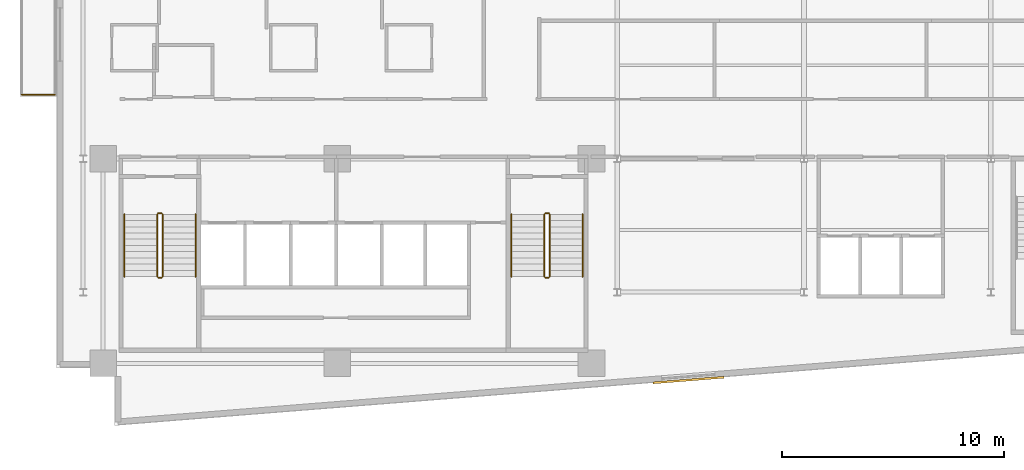
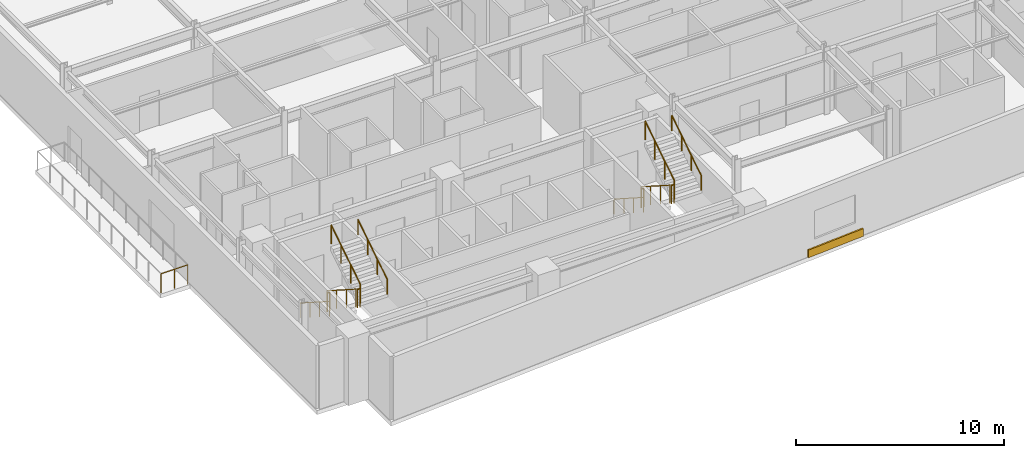
# One storey, part 15 of 19: 13 railings, 1 covering.
"""IFC4 building model written with IfcOpenShell, lengths in metres."""

import ifcopenshell
import ifcopenshell.guid

model = None  # the IFC model being written
_history = None  # IfcOwnerHistory: only IFC2X3 demands one
_inside = {}  # id of a spatial element -> (the spatial element, [elements in it])
_under = {}  # id of a project, library or spatial element -> (it, [spatial elements below it])
_declared = {}  # id of a project -> (the project, [libraries it declares])
_typed = {}  # id of a type object -> (the type object, [elements of that type])
_made_of = {}  # id of a material, layer set ... -> (it, [elements and type objects made of it])


def new_model(schema):
    """Start an empty IFC model of exactly this schema.

    Asked for "IFC4X3", IfcOpenShell would pick the latest addendum, in which some entities
    have other attributes; the version numbers below select the first issue.
    IFC2X3 requires an IfcOwnerHistory on every rooted entity: one is made here for all.
    """
    global model, _history
    if schema == "IFC4X3":
        model = ifcopenshell.file(schema_version=(4, 3, 0, 0))
    else:
        model = ifcopenshell.file(schema=schema)
    _inside.clear()
    _under.clear()
    _declared.clear()
    _typed.clear()
    _made_of.clear()
    _history = None
    if model.schema == "IFC2X3":
        org = make("IfcOrganization", Name="unknown")
        user = make(
            "IfcPersonAndOrganization",
            ThePerson=make("IfcPerson", FamilyName="unknown"),
            TheOrganization=org,
        )
        app = make(
            "IfcApplication",
            ApplicationDeveloper=org,
            Version="unknown",
            ApplicationFullName="unknown",
            ApplicationIdentifier="unknown",
        )
        _history = make(
            "IfcOwnerHistory",
            OwningUser=user,
            OwningApplication=app,
            ChangeAction="ADDED",
            CreationDate=0,
        )
    return model


def make(cls, **values):
    """One entity of the class cls with the attributes given. An attribute that is None is left unset."""
    return model.create_entity(
        cls, **{name: value for name, value in values.items() if value is not None}
    )


def rooted(cls, **values):
    """An entity with a GlobalId (a new one), such as an element, a storey or a relation."""
    return make(cls, GlobalId=ifcopenshell.guid.new(), OwnerHistory=_history, **values)


def si_unit(unit_type, name, prefix=None):
    """IfcSIUnit, for example si_unit("LENGTHUNIT", "METRE", prefix="MILLI")."""
    return make("IfcSIUnit", UnitType=unit_type, Prefix=prefix, Name=name)


def assignment(units):
    """IfcUnitAssignment: the units of a project."""
    return None if units is None else make("IfcUnitAssignment", Units=units)


def point(xyz):
    """IfcCartesianPoint."""
    return None if xyz is None else make("IfcCartesianPoint", Coordinates=xyz)


def direction(xyz):
    """IfcDirection."""
    return None if xyz is None else make("IfcDirection", DirectionRatios=xyz)


def frame(location, z_axis=None, x_axis=None):
    """IfcAxis2Placement3D, a coordinate frame: its origin and axes. An axis left out is left unset."""
    return make(
        "IfcAxis2Placement3D",
        Location=point(location),
        Axis=direction(z_axis),
        RefDirection=direction(x_axis),
    )


def frame_2d(location, x_axis=None):
    """IfcAxis2Placement2D, a coordinate frame in the plane: its origin and x axis."""
    return make(
        "IfcAxis2Placement2D", Location=point(location), RefDirection=direction(x_axis)
    )


def origin():
    """The frame at (0, 0, 0) with its axes left unset."""
    return frame((0.0, 0.0, 0.0))


def origin_2d():
    """The frame at (0, 0) in the plane with its x axis left unset."""
    return frame_2d((0.0, 0.0))


def place(relative_to, where):
    """IfcLocalPlacement: puts the frame where relative to a parent placement (None: the world)."""
    return make(
        "IfcLocalPlacement", PlacementRelTo=relative_to, RelativePlacement=where
    )


def context(
    kind, dimensions, precision=None, world=None, true_north=None, identifier=None
):
    """IfcGeometricRepresentationContext, for example the 3D "Model" context."""
    return make(
        "IfcGeometricRepresentationContext",
        ContextIdentifier=identifier,
        ContextType=kind,
        CoordinateSpaceDimension=dimensions,
        Precision=precision,
        WorldCoordinateSystem=world,
        TrueNorth=true_north,
    )


def subcontext(parent, identifier, kind, view, scale=None):
    """IfcGeometricRepresentationSubContext, for example "Body" below "Model"."""
    return make(
        "IfcGeometricRepresentationSubContext",
        ContextIdentifier=identifier,
        ContextType=kind,
        ParentContext=parent,
        TargetScale=scale,
        TargetView=view,
    )


def project(units=None, contexts=None):
    """IfcProject with its units and contexts."""
    return rooted(
        "IfcProject",
        Name="project",
        RepresentationContexts=contexts,
        UnitsInContext=assignment(units),
    )


def spatial(cls, under=None, at=None, **own):
    """A site, building, storey or space (cls), placed at a placement, below another one or the project."""
    s = rooted(cls, ObjectPlacement=at, **own)
    if under is not None:
        _under.setdefault(under.id(), (under, []))[1].append(s)
    return s


def profile(cls, at=None, kind="AREA", **sizes):
    """A parametric profile (cls). Its sizes go by their IFC names, for example OverallWidth=200.0."""
    return make(cls, ProfileType=kind, Position=at, **sizes)


def rectangle(**sizes):
    """IfcRectangleProfileDef."""
    return profile("IfcRectangleProfileDef", **sizes)


def circle(**sizes):
    """IfcCircleProfileDef."""
    return profile("IfcCircleProfileDef", **sizes)


def extrude(swept, where, along, depth):
    """IfcExtrudedAreaSolid: the profile swept, set in the frame where, extruded along a direction by depth."""
    return make(
        "IfcExtrudedAreaSolid",
        SweptArea=swept,
        Position=where,
        ExtrudedDirection=direction(along),
        Depth=depth,
    )


def shape(context_of_items, identifier, shape_type, items):
    """IfcShapeRepresentation: the items that make up one representation, for example the "Body"."""
    return make(
        "IfcShapeRepresentation",
        ContextOfItems=context_of_items,
        RepresentationIdentifier=identifier,
        RepresentationType=shape_type,
        Items=items,
    )


def material(Name=None, Category=None):
    """IfcMaterial."""
    return make("IfcMaterial", Name=Name, Category=Category)


def layer(
    of_material, thickness, ventilated=None, Name=None, Category=None, Priority=None
):
    """IfcMaterialLayer: one layer of a wall or slab, of a material (None: an air gap)."""
    return make(
        "IfcMaterialLayer",
        Material=of_material,
        LayerThickness=thickness,
        IsVentilated=ventilated,
        Name=Name,
        Category=Category,
        Priority=Priority,
    )


def layer_set(layers, Name=None):
    """IfcMaterialLayerSet."""
    return make("IfcMaterialLayerSet", MaterialLayers=layers, LayerSetName=Name)


def made_of(thing, what):
    """Note that an element or type object is made of a material, layer set ...; save() writes the relation."""
    if what is not None:
        _made_of.setdefault(what.id(), (what, []))[1].append(thing)
    return thing


def type_object(cls, material=None, **own):
    """A type object (cls), such as IfcWallType, which elements share."""
    return made_of(rooted(cls, **own), material)


def element(
    cls,
    number,
    at=None,
    inside=None,
    cuts=None,
    type_object=None,
    material=None,
    context=None,
    identifier="Body",
    shape_type=None,
    held_by="IfcProductDefinitionShape",
    body=None,
    shapes=None,
    **own,
):
    """One element of the class cls, such as IfcWall. Its Tag is "e" and its number.

    at: its placement. inside: the storey or other place that contains it. cuts: it is an
    opening in that element (IfcRelVoidsElement). A single representation is given by context,
    identifier, shape_type and body (its items); several are given by shapes. held_by: the class
    of the entity that holds the representations. save() writes the other relations.
    """
    e = rooted(cls, Tag="e%d" % number, ObjectPlacement=at, **own)
    if body is not None:
        shapes = [shape(context, identifier, shape_type, body)]
    if shapes is not None:
        e.Representation = make(held_by, Representations=shapes)
    if inside is not None:
        _inside.setdefault(inside.id(), (inside, []))[1].append(e)
    if cuts is not None:
        rooted(
            "IfcRelVoidsElement", RelatingBuildingElement=cuts, RelatedOpeningElement=e
        )
    if type_object is not None:
        _typed.setdefault(type_object.id(), (type_object, []))[1].append(e)
    return made_of(e, material)


def aggregate(whole, parts):
    """IfcRelAggregates: a whole, such as a stair, and the parts it consists of."""
    return rooted("IfcRelAggregates", RelatingObject=whole, RelatedObjects=parts)


def save(model, path):
    """Write the relations noted so far, then the file.

    IfcRelAggregates (storeys below a building ...), IfcRelContainedInSpatialStructure (elements
    in a storey), IfcRelDefinesByType, IfcRelAssociatesMaterial and IfcRelDeclares: one each for
    every whole, place, type object, material and project.
    """
    for whole, parts in _under.values():
        aggregate(whole, parts)
    for where, things in _inside.values():
        rooted(
            "IfcRelContainedInSpatialStructure",
            RelatedElements=things,
            RelatingStructure=where,
        )
    for kind, things in _typed.values():
        rooted("IfcRelDefinesByType", RelatedObjects=things, RelatingType=kind)
    for what, things in _made_of.values():
        rooted("IfcRelAssociatesMaterial", RelatedObjects=things, RelatingMaterial=what)
    for by, libraries in _declared.values():
        rooted("IfcRelDeclares", RelatingContext=by, RelatedDefinitions=libraries)
    model.write(path)


model = new_model("IFC4")

# Units and contexts
model_context = context("Model", 3, precision=1e-05, world=origin(), true_north=direction((0.0, 1.0)))
body_context = subcontext(model_context, "Body", "Model", "MODEL_VIEW")
ifc_project = project(units=[si_unit("LENGTHUNIT", "METRE"), si_unit("AREAUNIT", "SQUARE_METRE"), si_unit("VOLUMEUNIT", "CUBIC_METRE"), si_unit("PLANEANGLEUNIT", "RADIAN"), si_unit("MASSUNIT", "GRAM", prefix="KILO")], contexts=[model_context])

# Site, building, storey
site_placement = place(None, origin())
site = spatial("IfcSite", under=ifc_project, at=site_placement, CompositionType="ELEMENT")
building_placement = place(site_placement, origin())
building = spatial("IfcBuilding", under=site, at=building_placement, Name="Varnakote Quay Hospital", CompositionType="ELEMENT")
storey_placement = place(building_placement, frame((0.0, 0.0, 115.199951171875)))
storey = spatial("IfcBuildingStorey", under=building, at=storey_placement, Name="L28", CompositionType="ELEMENT", Elevation=115.199951171875)

# Covering
ifc_material_1 = material(Name="Kiln-fired red brick architectural cladding", Category="masonry")
ifc_layer = layer(ifc_material_1, 0.090087890625)
ifc_layer_set = layer_set([ifc_layer], Name="Kiln-fired red brick architectural cladding")
covering_type = type_object("IfcCoveringType", Name="COV-BRICK-CLAD-90", PredefinedType="CLADDING", material=ifc_layer_set)
covering_placement = place(storey_placement, frame((28.41259765625, 2.051025390625, 0.0), z_axis=(0.0, 0.0, 1.0), x_axis=(0.996862316013, 0.079155056145, 0.0)))
element("IfcCovering", 1, at=covering_placement, inside=storey, type_object=covering_type, Name="L28 Kiln-Brick Precast Spandrel Cladding Band", PredefinedType="CLADDING", context=body_context, shape_type="SweptSolid", body=[
    extrude(rectangle(XDim=3.199951171875, YDim=0.090087890625, at=origin_2d()), origin(), (0.0, 0.0, 1.0), 0.449951171875),
])

# Railings
ifc_material_2 = material(Name="Anodised aluminium 6063-T6 Bronze", Category="aluminium")
railing_type_1 = type_object("IfcRailingType", Name="RLG-EXT-GUARD-1150", PredefinedType="GUARDRAIL", material=ifc_material_2)
railing_1_placement = place(storey_placement, frame((-0.075927734375, 14.8798828125, 0.0)))
element("IfcRailing", 2, at=railing_1_placement, inside=storey, type_object=railing_type_1, Name="L28 Zigzag Prow Healing Terrace Safety Guard", PredefinedType="GUARDRAIL", context=body_context, shape_type="SweptSolid", body=[
    extrude(circle(Radius=0.02392578125, at=origin_2d()), frame((0.0, 0.0, 1.1259765625), z_axis=(-1.0, 0.0, 0.0), x_axis=(0.0, -1.0, 0.0)), (0.0, 0.0, 1.0), 1.484130859375),
    extrude(circle(Radius=0.02099609375, at=origin_2d()), origin(), (0.0, 0.0, 1.0), 1.101806640625),
    extrude(circle(Radius=0.02099609375, at=origin_2d()), frame((-0.7421875, 0.0, 0.0)), (0.0, 0.0, 1.0), 1.101806640625),
    extrude(circle(Radius=0.02099609375, at=origin_2d()), frame((-1.484130859375, 0.0, 0.0)), (0.0, 0.0, 1.0), 1.101806640625),
])
ifc_material_3 = material(Name="Brushed stainless steel balustrade", Category="steel")
railing_type_2 = type_object("IfcRailingType", Name="RLG-STAIR-GUARD-1150", PredefinedType="GUARDRAIL", material=ifc_material_3)
railing_2_placement = place(storey_placement, frame((4.530029296875, 9.5, 0.1796875)))
element("IfcRailing", 3, at=railing_2_placement, inside=storey, type_object=railing_type_2, Name="L28 ST-01 stair guard 1", PredefinedType="GUARDRAIL", context=body_context, shape_type="SweptSolid", body=[
    extrude(circle(Radius=0.02392578125, at=origin_2d()), frame((0.0, 0.0, 1.076171875), z_axis=(0.0, -0.841809871826, 0.539774156196), x_axis=(1.0, 0.0, 0.0)), (0.0, 0.0, 1.0), 3.326171875),
    extrude(circle(Radius=0.02099609375, at=origin_2d()), origin(), (0.0, 0.0, 1.0), 1.052001953125),
    extrude(circle(Radius=0.02099609375, at=origin_2d()), frame((0.0, -0.933349609375, 0.598388671875)), (0.0, 0.0, 1.0), 1.052001953125),
    extrude(circle(Radius=0.02099609375, at=origin_2d()), frame((0.0, -1.86669921875, 1.197021484375)), (0.0, 0.0, 1.0), 1.052001953125),
    extrude(circle(Radius=0.02099609375, at=origin_2d()), frame((0.0, -2.800048828125, 1.79541015625)), (0.0, 0.0, 1.0), 1.052001953125),
])
railing_3_placement = place(storey_placement, frame((4.580078125, 6.64990234375, 1.97509765625)))
element("IfcRailing", 4, at=railing_3_placement, inside=storey, type_object=railing_type_2, Name="L28 ST-01 stair guard 2", PredefinedType="GUARDRAIL", context=body_context, shape_type="SweptSolid", body=[
    extrude(circle(Radius=0.02392578125, at=origin_2d()), frame((0.0, 0.0, 1.076171875), z_axis=(1.0, 0.0, 0.0), x_axis=(0.0, 1.0, 0.0)), (0.0, 0.0, 1.0), 0.139892578125),
    extrude(circle(Radius=0.02099609375, at=origin_2d()), origin(), (0.0, 0.0, 1.0), 1.052001953125),
    extrude(circle(Radius=0.02099609375, at=origin_2d()), frame((0.139892578125, 0.0, 0.0)), (0.0, 0.0, 1.0), 1.052001953125),
])
railing_4_placement = place(storey_placement, frame((4.77001953125, 6.699951171875, 2.154541015625)))
element("IfcRailing", 5, at=railing_4_placement, inside=storey, type_object=railing_type_2, Name="L28 ST-01 stair guard 3", PredefinedType="GUARDRAIL", context=body_context, shape_type="SweptSolid", body=[
    extrude(circle(Radius=0.02392578125, at=origin_2d()), frame((0.0, 0.0, 1.076171875), z_axis=(0.0, 0.841809871826, 0.539774156196), x_axis=(-1.0, 0.0, 0.0)), (0.0, 0.0, 1.0), 3.326171875),
    extrude(circle(Radius=0.02099609375, at=origin_2d()), origin(), (0.0, 0.0, 1.0), 1.052001953125),
    extrude(circle(Radius=0.02099609375, at=origin_2d()), frame((0.0, 0.933349609375, 0.598388671875)), (0.0, 0.0, 1.0), 1.052001953125),
    extrude(circle(Radius=0.02099609375, at=origin_2d()), frame((0.0, 1.86669921875, 1.197021484375)), (0.0, 0.0, 1.0), 1.052001953125),
    extrude(circle(Radius=0.02099609375, at=origin_2d()), frame((0.0, 2.800048828125, 1.79541015625)), (0.0, 0.0, 1.0), 1.052001953125),
])
railing_5_placement = place(storey_placement, frame((4.580078125, 9.550048828125, 0.0)))
element("IfcRailing", 6, at=railing_5_placement, inside=storey, type_object=railing_type_2, Name="L28 ST-01 stair guard 4", PredefinedType="GUARDRAIL", context=body_context, shape_type="SweptSolid", body=[
    extrude(circle(Radius=0.02392578125, at=origin_2d()), frame((0.0, 0.0, 1.076171875), z_axis=(1.0, 0.0, 0.0), x_axis=(0.0, 1.0, 0.0)), (0.0, 0.0, 1.0), 0.139892578125),
    extrude(circle(Radius=0.02099609375, at=origin_2d()), origin(), (0.0, 0.0, 1.0), 1.052001953125),
    extrude(circle(Radius=0.02099609375, at=origin_2d()), frame((0.139892578125, 0.0, 0.0)), (0.0, 0.0, 1.0), 1.052001953125),
])
railing_6_placement = place(storey_placement, frame((21.929931640625, 9.5, 0.1796875)))
element("IfcRailing", 7, at=railing_6_placement, inside=storey, type_object=railing_type_2, Name="L28 ST-02 stair guard 1", PredefinedType="GUARDRAIL", context=body_context, shape_type="SweptSolid", body=[
    extrude(circle(Radius=0.02392578125, at=origin_2d()), frame((0.0, 0.0, 1.076171875), z_axis=(0.0, -0.841809871826, 0.539774156196), x_axis=(1.0, 0.0, 0.0)), (0.0, 0.0, 1.0), 3.326171875),
    extrude(circle(Radius=0.02099609375, at=origin_2d()), origin(), (0.0, 0.0, 1.0), 1.052001953125),
    extrude(circle(Radius=0.02099609375, at=origin_2d()), frame((0.0, -0.933349609375, 0.598388671875)), (0.0, 0.0, 1.0), 1.052001953125),
    extrude(circle(Radius=0.02099609375, at=origin_2d()), frame((0.0, -1.86669921875, 1.197021484375)), (0.0, 0.0, 1.0), 1.052001953125),
    extrude(circle(Radius=0.02099609375, at=origin_2d()), frame((0.0, -2.800048828125, 1.79541015625)), (0.0, 0.0, 1.0), 1.052001953125),
])
railing_7_placement = place(storey_placement, frame((21.97998046875, 6.64990234375, 1.97509765625)))
element("IfcRailing", 8, at=railing_7_placement, inside=storey, type_object=railing_type_2, Name="L28 ST-02 stair guard 2", PredefinedType="GUARDRAIL", context=body_context, shape_type="SweptSolid", body=[
    extrude(circle(Radius=0.02392578125, at=origin_2d()), frame((0.0, 0.0, 1.076171875), z_axis=(1.0, 0.0, 0.0), x_axis=(0.0, 1.0, 0.0)), (0.0, 0.0, 1.0), 0.14013671875),
    extrude(circle(Radius=0.02099609375, at=origin_2d()), origin(), (0.0, 0.0, 1.0), 1.052001953125),
    extrude(circle(Radius=0.02099609375, at=origin_2d()), frame((0.14013671875, 0.0, 0.0)), (0.0, 0.0, 1.0), 1.052001953125),
])
railing_8_placement = place(storey_placement, frame((22.169921875, 6.699951171875, 2.154541015625)))
element("IfcRailing", 9, at=railing_8_placement, inside=storey, type_object=railing_type_2, Name="L28 ST-02 stair guard 3", PredefinedType="GUARDRAIL", context=body_context, shape_type="SweptSolid", body=[
    extrude(circle(Radius=0.02392578125, at=origin_2d()), frame((0.0, 0.0, 1.076171875), z_axis=(0.0, 0.841809871826, 0.539774156196), x_axis=(-1.0, 0.0, 0.0)), (0.0, 0.0, 1.0), 3.326171875),
    extrude(circle(Radius=0.02099609375, at=origin_2d()), origin(), (0.0, 0.0, 1.0), 1.052001953125),
    extrude(circle(Radius=0.02099609375, at=origin_2d()), frame((0.0, 0.933349609375, 0.598388671875)), (0.0, 0.0, 1.0), 1.052001953125),
    extrude(circle(Radius=0.02099609375, at=origin_2d()), frame((0.0, 1.86669921875, 1.197021484375)), (0.0, 0.0, 1.0), 1.052001953125),
    extrude(circle(Radius=0.02099609375, at=origin_2d()), frame((0.0, 2.800048828125, 1.79541015625)), (0.0, 0.0, 1.0), 1.052001953125),
])
railing_9_placement = place(storey_placement, frame((21.97998046875, 9.550048828125, 0.0)))
element("IfcRailing", 10, at=railing_9_placement, inside=storey, type_object=railing_type_2, Name="L28 ST-02 stair guard 4", PredefinedType="GUARDRAIL", context=body_context, shape_type="SweptSolid", body=[
    extrude(circle(Radius=0.02392578125, at=origin_2d()), frame((0.0, 0.0, 1.076171875), z_axis=(1.0, 0.0, 0.0), x_axis=(0.0, 1.0, 0.0)), (0.0, 0.0, 1.0), 0.14013671875),
    extrude(circle(Radius=0.02099609375, at=origin_2d()), origin(), (0.0, 0.0, 1.0), 1.052001953125),
    extrude(circle(Radius=0.02099609375, at=origin_2d()), frame((0.14013671875, 0.0, 0.0)), (0.0, 0.0, 1.0), 1.052001953125),
])
ifc_material_4 = material(Name="Brushed stainless steel handrail", Category="steel")
railing_type_3 = type_object("IfcRailingType", Name="RLG-STAIR-HND-920", PredefinedType="HANDRAIL", material=ifc_material_4)
railing_10_placement = place(storey_placement, frame((3.050048828125, 9.5, 0.1796875)))
element("IfcRailing", 11, at=railing_10_placement, inside=storey, type_object=railing_type_3, Name="L28 ST-01 stair handrail 1", PredefinedType="HANDRAIL", context=body_context, shape_type="SweptSolid", body=[
    extrude(circle(Radius=0.02392578125, at=origin_2d()), frame((0.0, 0.0, 0.8759765625), z_axis=(0.0, -0.841809871826, 0.539774156196), x_axis=(1.0, 0.0, 0.0)), (0.0, 0.0, 1.0), 3.326171875),
    extrude(circle(Radius=0.02099609375, at=origin_2d()), origin(), (0.0, 0.0, 1.0), 0.851806640625),
    extrude(circle(Radius=0.02099609375, at=origin_2d()), frame((0.0, -0.933349609375, 0.598388671875)), (0.0, 0.0, 1.0), 0.851806640625),
    extrude(circle(Radius=0.02099609375, at=origin_2d()), frame((0.0, -1.86669921875, 1.197021484375)), (0.0, 0.0, 1.0), 0.851806640625),
    extrude(circle(Radius=0.02099609375, at=origin_2d()), frame((0.0, -2.800048828125, 1.79541015625)), (0.0, 0.0, 1.0), 0.851806640625),
])
railing_11_placement = place(storey_placement, frame((6.25, 6.699951171875, 2.154541015625)))
element("IfcRailing", 12, at=railing_11_placement, inside=storey, type_object=railing_type_3, Name="L28 ST-01 stair handrail 2", PredefinedType="HANDRAIL", context=body_context, shape_type="SweptSolid", body=[
    extrude(circle(Radius=0.02392578125, at=origin_2d()), frame((0.0, 0.0, 0.8759765625), z_axis=(0.0, 0.841809871826, 0.539774156196), x_axis=(-1.0, 0.0, 0.0)), (0.0, 0.0, 1.0), 3.326171875),
    extrude(circle(Radius=0.02099609375, at=origin_2d()), origin(), (0.0, 0.0, 1.0), 0.851806640625),
    extrude(circle(Radius=0.02099609375, at=origin_2d()), frame((0.0, 0.933349609375, 0.598388671875)), (0.0, 0.0, 1.0), 0.851806640625),
    extrude(circle(Radius=0.02099609375, at=origin_2d()), frame((0.0, 1.86669921875, 1.197021484375)), (0.0, 0.0, 1.0), 0.851806640625),
    extrude(circle(Radius=0.02099609375, at=origin_2d()), frame((0.0, 2.800048828125, 1.79541015625)), (0.0, 0.0, 1.0), 0.851806640625),
])
railing_12_placement = place(storey_placement, frame((20.449951171875, 9.5, 0.1796875)))
element("IfcRailing", 13, at=railing_12_placement, inside=storey, type_object=railing_type_3, Name="L28 ST-02 stair handrail 1", PredefinedType="HANDRAIL", context=body_context, shape_type="SweptSolid", body=[
    extrude(circle(Radius=0.02392578125, at=origin_2d()), frame((0.0, 0.0, 0.8759765625), z_axis=(0.0, -0.841809871826, 0.539774156196), x_axis=(1.0, 0.0, 0.0)), (0.0, 0.0, 1.0), 3.326171875),
    extrude(circle(Radius=0.02099609375, at=origin_2d()), origin(), (0.0, 0.0, 1.0), 0.851806640625),
    extrude(circle(Radius=0.02099609375, at=origin_2d()), frame((0.0, -0.933349609375, 0.598388671875)), (0.0, 0.0, 1.0), 0.851806640625),
    extrude(circle(Radius=0.02099609375, at=origin_2d()), frame((0.0, -1.86669921875, 1.197021484375)), (0.0, 0.0, 1.0), 0.851806640625),
    extrude(circle(Radius=0.02099609375, at=origin_2d()), frame((0.0, -2.800048828125, 1.79541015625)), (0.0, 0.0, 1.0), 0.851806640625),
])
railing_13_placement = place(storey_placement, frame((23.64990234375, 6.699951171875, 2.154541015625)))
element("IfcRailing", 14, at=railing_13_placement, inside=storey, type_object=railing_type_3, Name="L28 ST-02 stair handrail 2", PredefinedType="HANDRAIL", context=body_context, shape_type="SweptSolid", body=[
    extrude(circle(Radius=0.02392578125, at=origin_2d()), frame((0.0, 0.0, 0.8759765625), z_axis=(0.0, 0.841809871826, 0.539774156196), x_axis=(-1.0, 0.0, 0.0)), (0.0, 0.0, 1.0), 3.326171875),
    extrude(circle(Radius=0.02099609375, at=origin_2d()), origin(), (0.0, 0.0, 1.0), 0.851806640625),
    extrude(circle(Radius=0.02099609375, at=origin_2d()), frame((0.0, 0.933349609375, 0.598388671875)), (0.0, 0.0, 1.0), 0.851806640625),
    extrude(circle(Radius=0.02099609375, at=origin_2d()), frame((0.0, 1.86669921875, 1.197021484375)), (0.0, 0.0, 1.0), 0.851806640625),
    extrude(circle(Radius=0.02099609375, at=origin_2d()), frame((0.0, 2.800048828125, 1.79541015625)), (0.0, 0.0, 1.0), 0.851806640625),
])

save(model, "model.ifc")
